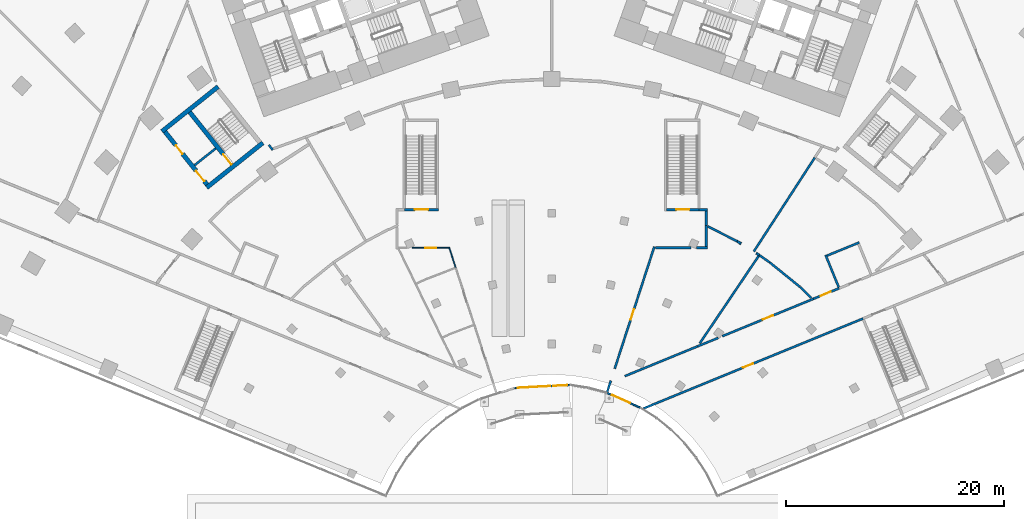
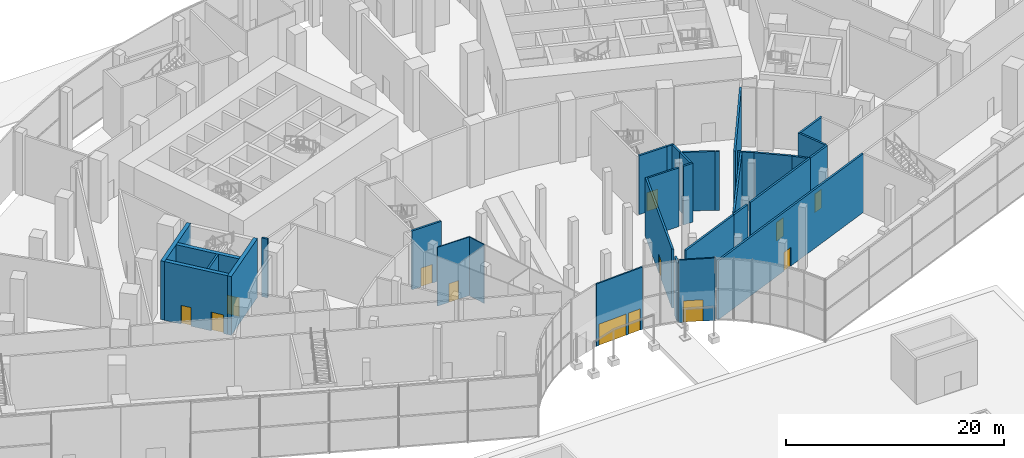
# One storey, part 31 of 60: 34 walls, 13 doors, 13 openings.
"""IFC4 building model written with IfcOpenShell, lengths in metres."""

from ifc_helpers import new_model, si_unit, direction, frame, frame_2d, origin, place, context, subcontext, project, spatial, rectangle, extrude, material, layer, layer_set, type_object, element, fill, save


model = new_model("IFC4")

# Units and contexts
model_context = context("Model", 3, precision=1e-05, world=origin(), true_north=direction((0.0, 1.0)))
body_context = subcontext(model_context, "Body", "Model", "MODEL_VIEW")
ifc_project = project(units=[si_unit("LENGTHUNIT", "METRE"), si_unit("AREAUNIT", "SQUARE_METRE"), si_unit("VOLUMEUNIT", "CUBIC_METRE"), si_unit("PLANEANGLEUNIT", "RADIAN"), si_unit("MASSUNIT", "GRAM", prefix="KILO")], contexts=[model_context])

# Site, building, storey
site_placement = place(None, origin())
site = spatial("IfcSite", under=ifc_project, at=site_placement, CompositionType="ELEMENT")
building_placement = place(site_placement, origin())
building = spatial("IfcBuilding", under=site, at=building_placement, Name="Stone Belt Terrace Tower", CompositionType="ELEMENT")
storey_placement = place(building_placement, origin())
storey = spatial("IfcBuildingStorey", under=building, at=storey_placement, Name="L00", CompositionType="ELEMENT", Elevation=0.0)

# Wall, openings, doors
ifc_material_1 = material(Name="Terracotta coloured glazed ceramic", Category="masonry")
ifc_layer_1 = layer(ifc_material_1, 0.14990234375)
ifc_layer_set_1 = layer_set([ifc_layer_1], Name="Ceramic rain-screen wall 150")
wall_type_1 = type_object("IfcWallType", Name="Ceramic rain-screen wall 150", PredefinedType="SOLIDWALL", material=ifc_layer_set_1)
wall_1_placement = place(storey_placement, frame((-3.377197265625, 16.067138671875, 0.0), z_axis=(0.0, 0.0, 1.0), x_axis=(0.998630179416, 0.052323653922, 0.0)))
wall_1 = element("IfcWall", 1, at=wall_1_placement, inside=storey, type_object=wall_type_1, Name="Door wall L00", PredefinedType="SOLIDWALL", context=body_context, shape_type="SweptSolid", body=[
    extrude(rectangle(XDim=5.067138671875, YDim=0.14990234375, at=frame_2d((2.53369140625, 0.0))), origin(), (0.0, 0.0, 1.0), 7.0),
])
opening_1_placement = place(wall_1_placement, frame((0.255859375, 0.0, 0.0)))
opening_1 = element("IfcOpeningElement", 2, at=opening_1_placement, cuts=wall_1, Name="Opening L00-E02", PredefinedType="OPENING", context=body_context, shape_type="SweptSolid", body=[
    extrude(rectangle(XDim=3.0, YDim=2.39990234375, at=frame_2d((1.5, 1.199951171875))), frame((0.0, 0.0849609375, 0.0), z_axis=(0.0, -1.0, 0.0), x_axis=(1.0, 0.0, 0.0)), (0.0, 0.0, 1.0), 0.169921875),
])
opening_2_placement = place(wall_1_placement, frame((3.511474609375, 0.0, 0.0)))
opening_2 = element("IfcOpeningElement", 3, at=opening_2_placement, cuts=wall_1, Name="Opening L00-E03", PredefinedType="OPENING", context=body_context, shape_type="SweptSolid", body=[
    extrude(rectangle(XDim=1.300048828125, YDim=2.39990234375, at=frame_2d((0.64990234375, 1.199951171875))), frame((0.0, 0.0849609375, 0.0), z_axis=(0.0, -1.0, 0.0), x_axis=(1.0, 0.0, 0.0)), (0.0, 0.0, 1.0), 0.169921875),
])
ifc_material_2 = material(Name="Anodised aluminium glazed door", Category="aluminium")
door_type_1 = type_object("IfcDoorType", Name="Entrance side door 1300 x 2400", OperationType="NOTDEFINED", PredefinedType="DOOR", material=ifc_material_2)
door_1_placement = place(opening_2_placement, origin())
door_1 = element("IfcDoor", 4, at=door_1_placement, inside=storey, type_object=door_type_1, Name="Entrance door L00", OperationType="SINGLE_SWING_RIGHT", OverallHeight=2.39990234375, OverallWidth=1.300048828125, PredefinedType="DOOR", context=body_context, shape_type="SweptSolid", body=[
    extrude(rectangle(XDim=1.300048828125, YDim=2.39990234375, at=frame_2d((0.64990234375, 1.199951171875))), frame((0.0, 0.02490234375, 0.0), z_axis=(0.0, -1.0, 0.0), x_axis=(1.0, 0.0, 0.0)), (0.0, 0.0, 1.0), 0.050048828125),
])
fill(opening_2, door_1)
door_type_2 = type_object("IfcDoorType", Name="Revolving entrance door 3000 x 2400", OperationType="REVOLVING", PredefinedType="DOOR", material=ifc_material_2)
door_2_placement = place(opening_1_placement, origin())
door_2 = element("IfcDoor", 5, at=door_2_placement, inside=storey, type_object=door_type_2, Name="Entrance door L00", OperationType="REVOLVING", OverallHeight=2.39990234375, OverallWidth=3.0, PredefinedType="DOOR", context=body_context, shape_type="SweptSolid", body=[
    extrude(rectangle(XDim=3.0, YDim=2.39990234375, at=frame_2d((1.5, 1.199951171875))), frame((0.0, 0.02490234375, 0.0), z_axis=(0.0, -1.0, 0.0), x_axis=(1.0, 0.0, 0.0)), (0.0, 0.0, 1.0), 0.050048828125),
])
fill(opening_1, door_2)

# Wall, opening, door
wall_2_placement = place(storey_placement, frame((5.1064453125, 15.60693359375, 0.0), z_axis=(0.0, 0.0, 1.0), x_axis=(0.913536167247, -0.406757509005, 0.0)))
wall_2 = element("IfcWall", 6, at=wall_2_placement, inside=storey, type_object=wall_type_1, Name="Door wall L00", PredefinedType="SOLIDWALL", context=body_context, shape_type="SweptSolid", body=[
    extrude(rectangle(XDim=3.365966796875, YDim=0.14990234375, at=frame_2d((1.68310546875, 0.0))), origin(), (0.0, 0.0, 1.0), 7.0),
])
opening_3_placement = place(wall_2_placement, frame((0.478515625, 0.0, 0.0)))
opening_3 = element("IfcOpeningElement", 7, at=opening_3_placement, cuts=wall_2, Name="Opening L00-E04", PredefinedType="OPENING", context=body_context, shape_type="SweptSolid", body=[
    extrude(rectangle(XDim=1.800048828125, YDim=2.39990234375, at=frame_2d((0.89990234375, 1.199951171875))), frame((0.0, 0.0849609375, 0.0), z_axis=(0.0, -1.0, 0.0), x_axis=(1.0, 0.0, 0.0)), (0.0, 0.0, 1.0), 0.169921875),
])
door_type_3 = type_object("IfcDoorType", Name="Shopfront door 1800 x 2400", OperationType="DOUBLE_DOOR_DOUBLE_SWING", PredefinedType="DOOR", material=ifc_material_2)
door_3_placement = place(opening_3_placement, origin())
door_3 = element("IfcDoor", 8, at=door_3_placement, inside=storey, type_object=door_type_3, Name="Terrace door L00", OperationType="DOUBLE_DOOR_DOUBLE_SWING", OverallHeight=2.39990234375, OverallWidth=1.800048828125, PredefinedType="DOOR", context=body_context, shape_type="SweptSolid", body=[
    extrude(rectangle(XDim=1.800048828125, YDim=2.39990234375, at=frame_2d((0.89990234375, 1.199951171875))), frame((0.0, 0.02490234375, 0.0), z_axis=(0.0, -1.0, 0.0), x_axis=(1.0, 0.0, 0.0)), (0.0, 0.0, 1.0), 0.050048828125),
])
fill(opening_3, door_3)

# Wall
ifc_material_3 = material(Name="Blockwork wall, plastered both faces", Category="masonry")
ifc_layer_2 = layer(ifc_material_3, 0.199951171875)
ifc_layer_set_2 = layer_set([ifc_layer_2], Name="Podium demising wall 200")
wall_type_2 = type_object("IfcWallType", Name="Podium demising wall 200", PredefinedType="PARTITIONING", material=ifc_layer_set_2)
wall_3_placement = place(storey_placement, frame((-25.969970703125, 38.3798828125, 0.0), z_axis=(0.0, 0.0, 1.0), x_axis=(0.619630859063, -0.784893367596, 0.0)))
element("IfcWall", 9, at=wall_3_placement, inside=storey, type_object=wall_type_2, Name="Podium demising wall 200", PredefinedType="PARTITIONING", context=body_context, shape_type="SweptSolid", body=[
    extrude(rectangle(XDim=0.58935546875, YDim=0.199951171875, at=frame_2d((0.294677734375, 0.0))), origin(), (0.0, 0.0, 1.0), 6.60009765625),
])

# Wall, opening, door
wall_4_placement = place(storey_placement, frame((5.791748046875, 17.83642578125, 0.0), z_axis=(0.0, 0.0, 1.0), x_axis=(0.30906264163, 0.951041683392, 0.0)))
wall_4 = element("IfcWall", 10, at=wall_4_placement, inside=storey, type_object=wall_type_2, Name="Podium demising wall 200", PredefinedType="PARTITIONING", context=body_context, shape_type="SweptSolid", body=[
    extrude(rectangle(XDim=11.7802734375, YDim=0.199951171875, at=frame_2d((5.89013671875, 0.0))), origin(), (0.0, 0.0, 1.0), 6.60009765625),
])
opening_4_placement = place(wall_4_placement, frame((4.740234375, 0.0, 0.0)))
opening_4 = element("IfcOpeningElement", 11, at=opening_4_placement, cuts=wall_4, Name="Opening L00-P30", PredefinedType="OPENING", context=body_context, shape_type="SweptSolid", body=[
    extrude(rectangle(XDim=1.0, YDim=2.10009765625, at=frame_2d((0.5, 1.050048828125))), frame((0.0, 0.10986328125, 0.0), z_axis=(0.0, -1.0, 0.0), x_axis=(1.0, 0.0, 0.0)), (0.0, 0.0, 1.0), 0.219970703125),
])
ifc_material_4 = material(Name="Steel framed door leaf", Category="steel")
door_type_4 = type_object("IfcDoorType", Name="Podium door single 1000", OperationType="SINGLE_SWING_LEFT", PredefinedType="DOOR", material=ifc_material_4)
door_4_placement = place(opening_4_placement, origin())
door_4 = element("IfcDoor", 12, at=door_4_placement, inside=storey, type_object=door_type_4, Name="Podium door single 1000", OperationType="SINGLE_SWING_RIGHT", OverallHeight=2.10009765625, OverallWidth=1.0, PredefinedType="DOOR", context=body_context, shape_type="SweptSolid", body=[
    extrude(rectangle(XDim=1.0, YDim=2.10009765625, at=frame_2d((0.5, 1.050048828125))), frame((0.0, 0.02490234375, 0.0), z_axis=(0.0, -1.0, 0.0), x_axis=(1.0, 0.0, 0.0)), (0.0, 0.0, 1.0), 0.050048828125),
])
fill(opening_4, door_4)

# Walls
wall_5_placement = place(storey_placement, frame((9.527099609375, 28.93994140625, 0.0), z_axis=(0.0, 0.0, 1.0), x_axis=(1.0, 0.0, 0.0)))
element("IfcWall", 13, at=wall_5_placement, inside=storey, type_object=wall_type_2, Name="Podium demising wall 200", PredefinedType="PARTITIONING", context=body_context, shape_type="SweptSolid", body=[
    extrude(rectangle(XDim=3.2958984375, YDim=0.199951171875, at=frame_2d((1.64794921875, 0.0))), origin(), (0.0, 0.0, 1.0), 6.60009765625),
])
wall_6_placement = place(storey_placement, frame((13.28955078125, 28.93994140625, 0.0), z_axis=(0.0, 0.0, 1.0), x_axis=(1.0, 0.0, 0.0)))
element("IfcWall", 14, at=wall_6_placement, inside=storey, type_object=wall_type_2, Name="Podium demising wall 200", PredefinedType="PARTITIONING", context=body_context, shape_type="SweptSolid", body=[
    extrude(rectangle(XDim=1.010498046875, YDim=0.199951171875, at=frame_2d((0.50537109375, 0.0))), origin(), (0.0, 0.0, 1.0), 6.60009765625),
])
wall_7_placement = place(storey_placement, frame((13.60791015625, 20.168701171875, 0.0), z_axis=(0.0, 0.0, 1.0), x_axis=(0.559038757614, 0.8291415244, 0.0)))
element("IfcWall", 15, at=wall_7_placement, inside=storey, type_object=wall_type_2, Name="Podium demising wall 200", PredefinedType="PARTITIONING", context=body_context, shape_type="SweptSolid", body=[
    extrude(rectangle(XDim=9.670654296875, YDim=0.199951171875, at=frame_2d((4.83544921875, 0.0))), origin(), (0.0, 0.0, 1.0), 6.60009765625),
])
wall_8_placement = place(storey_placement, frame((13.530029296875, 32.43994140625, 0.0), z_axis=(0.0, 0.0, 1.0), x_axis=(1.0, 0.0, 0.0)))
element("IfcWall", 16, at=wall_8_placement, inside=storey, type_object=wall_type_2, Name="Podium demising wall 200", PredefinedType="PARTITIONING", context=body_context, shape_type="SweptSolid", body=[
    extrude(rectangle(XDim=0.77001953125, YDim=0.199951171875, at=frame_2d((0.385009765625, 0.0))), origin(), (0.0, 0.0, 1.0), 6.60009765625),
])
wall_9_placement = place(storey_placement, frame((14.199951171875, 29.0400390625, 0.0), z_axis=(0.0, 0.0, 1.0), x_axis=(0.0, 1.0, 0.0)))
element("IfcWall", 17, at=wall_9_placement, inside=storey, type_object=wall_type_2, Name="Podium demising wall 200", PredefinedType="PARTITIONING", context=body_context, shape_type="SweptSolid", body=[
    extrude(rectangle(XDim=1.949951171875, YDim=0.199951171875, at=frame_2d((0.97509765625, 0.0))), origin(), (0.0, 0.0, 1.0), 6.60009765625),
])
wall_10_placement = place(storey_placement, frame((14.199951171875, 30.99169921875, 0.0), z_axis=(0.0, 0.0, 1.0), x_axis=(0.0, 1.0, 0.0)))
element("IfcWall", 18, at=wall_10_placement, inside=storey, type_object=wall_type_2, Name="Podium demising wall 200", PredefinedType="PARTITIONING", context=body_context, shape_type="SweptSolid", body=[
    extrude(rectangle(XDim=1.348388671875, YDim=0.199951171875, at=frame_2d((0.67431640625, 0.0))), origin(), (0.0, 0.0, 1.0), 6.60009765625),
])
wall_11_placement = place(storey_placement, frame((14.344482421875, 30.906494140625, 0.0), z_axis=(0.0, 0.0, 1.0), x_axis=(0.891296874339, -0.453420204439, 0.0)))
element("IfcWall", 19, at=wall_11_placement, inside=storey, type_object=wall_type_2, Name="Podium demising wall 200", PredefinedType="PARTITIONING", context=body_context, shape_type="SweptSolid", body=[
    extrude(rectangle(XDim=3.031494140625, YDim=0.199951171875, at=frame_2d((1.515625, 0.0))), origin(), (0.0, 0.0, 1.0), 6.60009765625),
])
wall_12_placement = place(storey_placement, frame((17.053466796875, 29.52783203125, 0.0), z_axis=(0.0, 0.0, 1.0), x_axis=(0.850830472157, -0.525440298843, 0.0)))
element("IfcWall", 20, at=wall_12_placement, inside=storey, type_object=wall_type_2, Name="Podium demising wall 200", PredefinedType="PARTITIONING", context=body_context, shape_type="SweptSolid", body=[
    extrude(rectangle(XDim=0.3955078125, YDim=0.199951171875, at=frame_2d((0.19775390625, 0.0))), origin(), (0.0, 0.0, 1.0), 6.60009765625),
])
wall_13_placement = place(storey_placement, frame((18.570068359375, 28.60009765625, 0.0), z_axis=(0.0, 0.0, 1.0), x_axis=(0.544778789673, 0.838579793652, 0.0)))
element("IfcWall", 21, at=wall_13_placement, inside=storey, type_object=wall_type_2, Name="Podium demising wall 200", PredefinedType="PARTITIONING", context=body_context, shape_type="SweptSolid", body=[
    extrude(rectangle(XDim=10.279052734375, YDim=0.199951171875, at=frame_2d((5.1396484375, 0.0))), origin(), (0.0, 0.0, 1.0), 6.60009765625),
])
wall_14_placement = place(storey_placement, frame((18.800048828125, 28.43994140625, 0.0), z_axis=(0.0, 0.0, 1.0), x_axis=(0.846129780555, -0.532976917378, 0.0)))
element("IfcWall", 22, at=wall_14_placement, inside=storey, type_object=wall_type_2, Name="Podium demising wall 200", PredefinedType="PARTITIONING", context=body_context, shape_type="SweptSolid", body=[
    extrude(rectangle(XDim=0.31640625, YDim=0.199951171875, at=frame_2d((0.158203125, 0.0))), origin(), (0.0, 0.0, 1.0), 6.60009765625),
])
wall_15_placement = place(storey_placement, frame((19.072021484375, 28.2685546875, 0.0), z_axis=(0.0, 0.0, 1.0), x_axis=(0.818852203252, -0.574004415687, 0.0)))
element("IfcWall", 23, at=wall_15_placement, inside=storey, type_object=wall_type_2, Name="Podium demising wall 200", PredefinedType="PARTITIONING", context=body_context, shape_type="SweptSolid", body=[
    extrude(rectangle(XDim=1.178466796875, YDim=0.199951171875, at=frame_2d((0.58935546875, 0.0))), origin(), (0.0, 0.0, 1.0), 6.60009765625),
])
wall_16_placement = place(storey_placement, frame((20.042724609375, 27.587890625, 0.0), z_axis=(0.0, 0.0, 1.0), x_axis=(0.777291081982, -0.629141139866, 0.0)))
element("IfcWall", 24, at=wall_16_placement, inside=storey, type_object=wall_type_2, Name="Podium demising wall 200", PredefinedType="PARTITIONING", context=body_context, shape_type="SweptSolid", body=[
    extrude(rectangle(XDim=3.56787109375, YDim=0.199951171875, at=frame_2d((1.783935546875, 0.0))), origin(), (0.0, 0.0, 1.0), 6.60009765625),
])
wall_17_placement = place(storey_placement, frame((22.82373046875, 25.336181640625, 0.0), z_axis=(0.0, 0.0, 1.0), x_axis=(0.707106781187, -0.707106781187, 0.0)))
element("IfcWall", 25, at=wall_17_placement, inside=storey, type_object=wall_type_2, Name="Podium demising wall 200", PredefinedType="PARTITIONING", context=body_context, shape_type="SweptSolid", body=[
    extrude(rectangle(XDim=1.442138671875, YDim=0.199951171875, at=frame_2d((0.72119140625, 0.0))), origin(), (0.0, 0.0, 1.0), 6.60009765625),
])
ifc_material_5 = material(Name="Fire-rated blockwork wall, plastered both faces", Category="masonry")
ifc_layer_3 = layer(ifc_material_5, 0.199951171875)
ifc_layer_set_3 = layer_set([ifc_layer_3], Name="Podium exit passage wall 200")
wall_type_3 = type_object("IfcWallType", Name="Podium exit passage wall 200", PredefinedType="PARTITIONING", material=ifc_layer_set_3)
wall_18_placement = place(storey_placement, frame((5.10009765625, 15.68994140625, 0.0), z_axis=(0.0, 0.0, 1.0), x_axis=(0.309955109506, 0.950751192527, 0.0)))
element("IfcWall", 26, at=wall_18_placement, inside=storey, type_object=wall_type_3, Name="Podium exit passage wall 200", PredefinedType="PARTITIONING", context=body_context, shape_type="SweptSolid", body=[
    extrude(rectangle(XDim=1.098876953125, YDim=0.199951171875, at=frame_2d((0.54931640625, 0.0))), origin(), (0.0, 0.0, 1.0), 6.60009765625),
])
wall_19_placement = place(storey_placement, frame((6.724365234375, 17.152587890625, 0.0), z_axis=(0.0, 0.0, 1.0), x_axis=(0.925342263878, 0.379132819314, 0.0)))
element("IfcWall", 27, at=wall_19_placement, inside=storey, type_object=wall_type_3, Name="Podium exit passage wall 200", PredefinedType="PARTITIONING", context=body_context, shape_type="SweptSolid", body=[
    extrude(rectangle(XDim=7.224365234375, YDim=0.199951171875, at=frame_2d((3.6123046875, 0.0))), origin(), (0.0, 0.0, 1.0), 6.60009765625),
])

# Wall, opening, door
wall_20_placement = place(storey_placement, frame((8.429931640625, 14.179931640625, 0.0), z_axis=(0.0, 0.0, 1.0), x_axis=(0.925407362716, 0.378973894921, 0.0)))
wall_20 = element("IfcWall", 28, at=wall_20_placement, inside=storey, type_object=wall_type_3, Name="Podium exit passage wall 200", PredefinedType="PARTITIONING", context=body_context, shape_type="SweptSolid", body=[
    extrude(rectangle(XDim=21.795654296875, YDim=0.199951171875, at=frame_2d((10.89794921875, 0.0))), origin(), (0.0, 0.0, 1.0), 6.60009765625),
])
opening_5_placement = place(wall_20_placement, frame((9.885498046875, 0.0, 0.0)))
opening_5 = element("IfcOpeningElement", 29, at=opening_5_placement, cuts=wall_20, Name="Opening L00-P16", PredefinedType="OPENING", context=body_context, shape_type="SweptSolid", body=[
    extrude(rectangle(XDim=1.0, YDim=2.10009765625, at=frame_2d((0.5, 1.050048828125))), frame((0.0, 0.10986328125, 0.0), z_axis=(0.0, -1.0, 0.0), x_axis=(1.0, 0.0, 0.0)), (0.0, 0.0, 1.0), 0.219970703125),
])
door_5_placement = place(opening_5_placement, origin())
door_5 = element("IfcDoor", 30, at=door_5_placement, inside=storey, type_object=door_type_4, Name="Podium door single 1000", OperationType="SINGLE_SWING_RIGHT", OverallHeight=2.10009765625, OverallWidth=1.0, PredefinedType="DOOR", context=body_context, shape_type="SweptSolid", body=[
    extrude(rectangle(XDim=1.0, YDim=2.10009765625, at=frame_2d((0.5, 1.050048828125))), frame((0.0, 0.02490234375, 0.0), z_axis=(0.0, -1.0, 0.0), x_axis=(1.0, 0.0, 0.0)), (0.0, 0.0, 1.0), 0.050048828125),
])
fill(opening_5, door_5)

# Wall
wall_21_placement = place(storey_placement, frame((13.409912109375, 19.889892578125, 0.0), z_axis=(0.0, 0.0, 1.0), x_axis=(0.925286625242, 0.379268587082, 0.0)))
element("IfcWall", 31, at=wall_21_placement, inside=storey, type_object=wall_type_3, Name="Podium exit passage wall 200", PredefinedType="PARTITIONING", context=body_context, shape_type="SweptSolid", body=[
    extrude(rectangle(XDim=2.04833984375, YDim=0.199951171875, at=frame_2d((1.024169921875, 0.0))), origin(), (0.0, 0.0, 1.0), 6.60009765625),
])

# Wall, opening, door
wall_22_placement = place(storey_placement, frame((15.681640625, 20.821044921875, 0.0), z_axis=(0.0, 0.0, 1.0), x_axis=(0.925289609993, 0.379261305222, 0.0)))
wall_22 = element("IfcWall", 32, at=wall_22_placement, inside=storey, type_object=wall_type_3, Name="Podium exit passage wall 200", PredefinedType="PARTITIONING", context=body_context, shape_type="SweptSolid", body=[
    extrude(rectangle(XDim=9.04443359375, YDim=0.199951171875, at=frame_2d((4.522216796875, 0.0))), origin(), (0.0, 0.0, 1.0), 6.60009765625),
])
opening_6_placement = place(wall_22_placement, frame((4.022216796875, 0.0, 0.0)))
opening_6 = element("IfcOpeningElement", 33, at=opening_6_placement, cuts=wall_22, Name="Opening L00-P31", PredefinedType="OPENING", context=body_context, shape_type="SweptSolid", body=[
    extrude(rectangle(XDim=1.0, YDim=2.10009765625, at=frame_2d((0.5, 1.050048828125))), frame((0.0, 0.10986328125, 0.0), z_axis=(0.0, -1.0, 0.0), x_axis=(1.0, 0.0, 0.0)), (0.0, 0.0, 1.0), 0.219970703125),
])
door_6_placement = place(opening_6_placement, origin())
door_6 = element("IfcDoor", 34, at=door_6_placement, inside=storey, type_object=door_type_4, Name="Podium door single 1000", OperationType="SINGLE_SWING_LEFT", OverallHeight=2.10009765625, OverallWidth=1.0, PredefinedType="DOOR", context=body_context, shape_type="SweptSolid", body=[
    extrude(rectangle(XDim=1.0, YDim=2.10009765625, at=frame_2d((0.5, 1.050048828125))), frame((0.0, 0.02490234375, 0.0), z_axis=(0.0, -1.0, 0.0), x_axis=(1.0, 0.0, 0.0)), (0.0, 0.0, 1.0), 0.050048828125),
])
fill(opening_6, door_6)

wall_23_placement = place(storey_placement, frame((24.04931640625, 24.254638671875, 0.0), z_axis=(0.0, 0.0, 1.0), x_axis=(0.925597268944, 0.378509835702, 0.0)))
wall_23 = element("IfcWall", 35, at=wall_23_placement, inside=storey, type_object=wall_type_3, Name="Podium exit passage wall 200", PredefinedType="PARTITIONING", context=body_context, shape_type="SweptSolid", body=[
    extrude(rectangle(XDim=2.55029296875, YDim=0.199951171875, at=frame_2d((1.275146484375, 0.0))), origin(), (0.0, 0.0, 1.0), 6.60009765625),
])
opening_7_placement = place(wall_23_placement, frame((0.71630859375, 0.0, 0.0)))
opening_7 = element("IfcOpeningElement", 36, at=opening_7_placement, cuts=wall_23, Name="Opening L00-P36", PredefinedType="OPENING", context=body_context, shape_type="SweptSolid", body=[
    extrude(rectangle(XDim=1.0, YDim=2.10009765625, at=frame_2d((0.5, 1.050048828125))), frame((0.0, 0.10986328125, 0.0), z_axis=(0.0, -1.0, 0.0), x_axis=(1.0, 0.0, 0.0)), (0.0, 0.0, 1.0), 0.219970703125),
])
door_7_placement = place(opening_7_placement, origin())
door_7 = element("IfcDoor", 37, at=door_7_placement, inside=storey, type_object=door_type_4, Name="Podium door single 1000", OperationType="SINGLE_SWING_RIGHT", OverallHeight=2.10009765625, OverallWidth=1.0, PredefinedType="DOOR", context=body_context, shape_type="SweptSolid", body=[
    extrude(rectangle(XDim=1.0, YDim=2.10009765625, at=frame_2d((0.5, 1.050048828125))), frame((0.0, 0.02490234375, 0.0), z_axis=(0.0, -1.0, 0.0), x_axis=(1.0, 0.0, 0.0)), (0.0, 0.0, 1.0), 0.050048828125),
])
fill(opening_7, door_7)

# Walls
ifc_material_6 = material(Name="Reinforced blockwork wall, plastered both faces", Category="masonry")
ifc_layer_4 = layer(ifc_material_6, 0.199951171875)
ifc_layer_set_4 = layer_set([ifc_layer_4], Name="Podium lift shaft wall 200")
wall_type_4 = type_object("IfcWallType", Name="Podium lift shaft wall 200", PredefinedType="SOLIDWALL", material=ifc_layer_set_4)
for number, where, z_axis, x_axis, name in (
    (38, (25.162109375, 28.272705078125, 0.0), (0.0, 0.0, 1.0), (0.378421783721, -0.925633271661, 0.0), "Podium lift shaft wall 200"),
    (39, (25.29248046875, 28.2177734375, 0.0), (0.0, 0.0, 1.0), (0.925660010793, 0.378356372246, 0.0), "Podium lift shaft wall 200"),
):
    element("IfcWall", number, at=place(storey_placement, frame(where, z_axis=z_axis, x_axis=x_axis)), inside=storey, type_object=wall_type_4, Name=name, PredefinedType="SOLIDWALL", context=body_context, shape_type="SweptSolid", body=[
        extrude(rectangle(XDim=3.197998046875, YDim=0.199951171875, at=frame_2d((1.59912109375, 0.0))), origin(), (0.0, 0.0, 1.0), 6.60009765625),
    ])

# Wall, opening, door
ifc_material_7 = material(Name="Concrete B30", Category="concrete")
ifc_layer_5 = layer(ifc_material_7, 0.199951171875)
ifc_layer_set_5 = layer_set([ifc_layer_5], Name="Podium stair and shaft wall 200")
wall_type_5 = type_object("IfcWallType", Name="Podium stair and shaft wall 200", PredefinedType="SOLIDWALL", material=ifc_layer_set_5)
wall_24_placement = place(storey_placement, frame((-13.530029296875, 32.43994140625, 0.0), z_axis=(0.0, 0.0, 1.0), x_axis=(1.0, 0.0, 0.0)))
wall_24 = element("IfcWall", 40, at=wall_24_placement, inside=storey, type_object=wall_type_5, Name="Podium stair and shaft wall 200", PredefinedType="SOLIDWALL", context=body_context, shape_type="SweptSolid", body=[
    extrude(rectangle(XDim=3.159912109375, YDim=0.199951171875, at=frame_2d((1.580078125, 0.0))), origin(), (0.0, 0.0, 1.0), 6.60009765625),
])
opening_8_placement = place(wall_24_placement, frame((0.97998046875, 0.0, 0.0)))
opening_8 = element("IfcOpeningElement", 41, at=opening_8_placement, cuts=wall_24, Name="Opening L00-P05", PredefinedType="OPENING", context=body_context, shape_type="SweptSolid", body=[
    extrude(rectangle(XDim=1.199951171875, YDim=2.10009765625, at=frame_2d((0.60009765625, 1.050048828125))), frame((0.0, 0.10986328125, 0.0), z_axis=(0.0, -1.0, 0.0), x_axis=(1.0, 0.0, 0.0)), (0.0, 0.0, 1.0), 0.219970703125),
])
door_type_5 = type_object("IfcDoorType", Name="Podium door fire stair 1200", OperationType="SINGLE_SWING_LEFT", PredefinedType="DOOR", material=ifc_material_4)
door_8_placement = place(opening_8_placement, origin())
door_8 = element("IfcDoor", 42, at=door_8_placement, inside=storey, type_object=door_type_5, Name="Podium door fire stair 1200", OperationType="SINGLE_SWING_LEFT", OverallHeight=2.10009765625, OverallWidth=1.199951171875, PredefinedType="DOOR", context=body_context, shape_type="SweptSolid", body=[
    extrude(rectangle(XDim=1.199951171875, YDim=2.10009765625, at=frame_2d((0.60009765625, 1.050048828125))), frame((0.0, 0.02490234375, 0.0), z_axis=(0.0, -1.0, 0.0), x_axis=(1.0, 0.0, 0.0)), (0.0, 0.0, 1.0), 0.050048828125),
])
fill(opening_8, door_8)

wall_25_placement = place(storey_placement, frame((10.570068359375, 32.43994140625, 0.0), z_axis=(0.0, 0.0, 1.0), x_axis=(1.0, 0.0, 0.0)))
wall_25 = element("IfcWall", 43, at=wall_25_placement, inside=storey, type_object=wall_type_5, Name="Podium stair and shaft wall 200", PredefinedType="SOLIDWALL", context=body_context, shape_type="SweptSolid", body=[
    extrude(rectangle(XDim=2.9599609375, YDim=0.199951171875, at=frame_2d((1.47998046875, 0.0))), origin(), (0.0, 0.0, 1.0), 6.60009765625),
])
opening_9_placement = place(wall_25_placement, frame((0.8798828125, 0.0, 0.0)))
opening_9 = element("IfcOpeningElement", 44, at=opening_9_placement, cuts=wall_25, Name="Opening L00-P06", PredefinedType="OPENING", context=body_context, shape_type="SweptSolid", body=[
    extrude(rectangle(XDim=1.199951171875, YDim=2.10009765625, at=frame_2d((0.60009765625, 1.050048828125))), frame((0.0, 0.10986328125, 0.0), z_axis=(0.0, -1.0, 0.0), x_axis=(1.0, 0.0, 0.0)), (0.0, 0.0, 1.0), 0.219970703125),
])
door_9_placement = place(opening_9_placement, origin())
door_9 = element("IfcDoor", 45, at=door_9_placement, inside=storey, type_object=door_type_5, Name="Podium door fire stair 1200", OperationType="SINGLE_SWING_RIGHT", OverallHeight=2.10009765625, OverallWidth=1.199951171875, PredefinedType="DOOR", context=body_context, shape_type="SweptSolid", body=[
    extrude(rectangle(XDim=1.199951171875, YDim=2.10009765625, at=frame_2d((0.60009765625, 1.050048828125))), frame((0.0, 0.02490234375, 0.0), z_axis=(0.0, -1.0, 0.0), x_axis=(1.0, 0.0, 0.0)), (0.0, 0.0, 1.0), 0.050048828125),
])
fill(opening_9, door_9)

ifc_material_8 = material(Name="Moisture-resistant board on steel stud partition", Category="steel")
ifc_layer_6 = layer(ifc_material_8, 0.10009765625)
ifc_layer_set_6 = layer_set([ifc_layer_6], Name="Podium toilet partition 100")
wall_type_6 = type_object("IfcWallType", Name="Podium toilet partition 100", PredefinedType="PARTITIONING", material=ifc_layer_set_6)
wall_26_placement = place(storey_placement, frame((-12.822998046875, 28.93994140625, 0.0), z_axis=(0.0, 0.0, 1.0), x_axis=(1.0, 0.0, 0.0)))
wall_26 = element("IfcWall", 46, at=wall_26_placement, inside=storey, type_object=wall_type_6, Name="Podium toilet partition 100", PredefinedType="PARTITIONING", context=body_context, shape_type="SweptSolid", body=[
    extrude(rectangle(XDim=3.4755859375, YDim=0.10009765625, at=frame_2d((1.73779296875, 0.0))), origin(), (0.0, 0.0, 1.0), 6.60009765625),
])
opening_10_placement = place(wall_26_placement, frame((1.23779296875, 0.0, 0.0)))
opening_10 = element("IfcOpeningElement", 47, at=opening_10_placement, cuts=wall_26, Name="Opening L00-P23", PredefinedType="OPENING", context=body_context, shape_type="SweptSolid", body=[
    extrude(rectangle(XDim=1.0, YDim=2.10009765625, at=frame_2d((0.5, 1.050048828125))), frame((0.0, 0.06005859375, 0.0), z_axis=(0.0, -1.0, 0.0), x_axis=(1.0, 0.0, 0.0)), (0.0, 0.0, 1.0), 0.1201171875),
])
door_10_placement = place(opening_10_placement, origin())
door_10 = element("IfcDoor", 48, at=door_10_placement, inside=storey, type_object=door_type_4, Name="Podium door single 1000", OperationType="SINGLE_SWING_LEFT", OverallHeight=2.10009765625, OverallWidth=1.0, PredefinedType="DOOR", context=body_context, shape_type="SweptSolid", body=[
    extrude(rectangle(XDim=1.0, YDim=2.10009765625, at=frame_2d((0.5, 1.050048828125))), frame((0.0, 0.02490234375, 0.0), z_axis=(0.0, -1.0, 0.0), x_axis=(1.0, 0.0, 0.0)), (0.0, 0.0, 1.0), 0.050048828125),
])
fill(opening_10, door_10)

# Walls
wall_27_placement = place(storey_placement, frame((-9.384033203125, 28.889892578125, 0.0), z_axis=(0.0, 0.0, 1.0), x_axis=(0.305409173009, -0.952221212241, 0.0)))
element("IfcWall", 49, at=wall_27_placement, inside=storey, type_object=wall_type_6, Name="Podium toilet partition 100", PredefinedType="PARTITIONING", context=body_context, shape_type="SweptSolid", body=[
    extrude(rectangle(XDim=1.81787109375, YDim=0.10009765625, at=frame_2d((0.908935546875, 0.0))), origin(), (0.0, 0.0, 1.0), 6.60009765625),
])
ifc_material_9 = material(Name="Concrete masonry block", Category="masonry")
ifc_layer_7 = layer(ifc_material_9, 0.199951171875)
ifc_layer_set_7 = layer_set([ifc_layer_7], Name="Rated lobby wall 200")
wall_type_7 = type_object("IfcWallType", Name="Rated lobby wall 200", PredefinedType="PARTITIONING", material=ifc_layer_set_7)
wall_28_placement = place(storey_placement, frame((-30.845703125, 38.074951171875, 0.0), z_axis=(0.0, 0.0, 1.0), x_axis=(-0.782115323833, -0.623133709749, 0.0)))
element("IfcWall", 50, at=wall_28_placement, inside=storey, type_object=wall_type_7, Name="Exit stair ST3A wall", PredefinedType="PARTITIONING", context=body_context, shape_type="SweptSolid", body=[
    extrude(rectangle(XDim=2.5, YDim=0.199951171875, at=frame_2d((1.25, 0.0))), origin(), (0.0, 0.0, 1.0), 6.60009765625),
])
ifc_material_10 = material(Name="Concrete B80", Category="concrete")
ifc_layer_8 = layer(ifc_material_10, 0.39990234375)
ifc_layer_set_8 = layer_set([ifc_layer_8], Name="Stair enclosure wall 400")
wall_type_8 = type_object("IfcWallType", Name="Stair enclosure wall 400", PredefinedType="SHEAR", material=ifc_layer_set_8)
for number, where, z_axis, x_axis, name in (
    (51, (-26.518798828125, 38.58154296875, 0.0), (0.0, 0.0, 1.0), (-0.782133914161, -0.623110375711, 0.0), "Exit stair ST3A wall"),
    (52, (-30.63134765625, 43.74365234375, 0.0), (0.0, 0.0, 1.0), (-0.782133914161, -0.623110375711, 0.0), "Exit stair ST3A wall"),
):
    element("IfcWall", number, at=place(storey_placement, frame(where, z_axis=z_axis, x_axis=x_axis)), inside=storey, type_object=wall_type_8, Name=name, PredefinedType="SHEAR", context=body_context, shape_type="SweptSolid", body=[
        extrude(rectangle(XDim=6.60009765625, YDim=0.39990234375, at=frame_2d((3.300048828125, 0.0))), origin(), (0.0, 0.0, 1.0), 6.60009765625),
    ])

# Wall, openings, doors
wall_29_placement = place(storey_placement, frame((-31.64892578125, 34.75, 0.0), z_axis=(0.0, 0.0, 1.0), x_axis=(-0.623118653668, 0.782127319208, 0.0)))
wall_29 = element("IfcWall", 53, at=wall_29_placement, inside=storey, type_object=wall_type_8, Name="Exit stair ST3A wall", PredefinedType="SHEAR", context=body_context, shape_type="SweptSolid", body=[
    extrude(rectangle(XDim=6.199951171875, YDim=0.39990234375, at=frame_2d((3.10009765625, 0.0))), origin(), (0.0, 0.0, 1.0), 6.60009765625),
])
opening_11_placement = place(wall_29_placement, frame((0.39990234375, 0.0, 0.0)))
opening_11 = element("IfcOpeningElement", 54, at=opening_11_placement, cuts=wall_29, Name="Opening L00-C26", PredefinedType="OPENING", context=body_context, shape_type="SweptSolid", body=[
    extrude(rectangle(XDim=1.199951171875, YDim=2.10009765625, at=frame_2d((0.60009765625, 1.050048828125))), frame((0.0, 0.2099609375, 0.0), z_axis=(0.0, -1.0, 0.0), x_axis=(1.0, 0.0, 0.0)), (0.0, 0.0, 1.0), 0.419921875),
])
opening_12_placement = place(wall_29_placement, frame((3.60009765625, 0.0, 0.0)))
opening_12 = element("IfcOpeningElement", 55, at=opening_12_placement, cuts=wall_29, Name="Opening L00-C27", PredefinedType="OPENING", context=body_context, shape_type="SweptSolid", body=[
    extrude(rectangle(XDim=1.0, YDim=2.10009765625, at=frame_2d((0.5, 1.050048828125))), frame((0.0, 0.2099609375, 0.0), z_axis=(0.0, -1.0, 0.0), x_axis=(1.0, 0.0, 0.0)), (0.0, 0.0, 1.0), 0.419921875),
])
ifc_material_11 = material(Name="Timber door leaf", Category="wood")
door_type_6 = type_object("IfcDoorType", Name="Core room door 1000", OperationType="SINGLE_SWING_LEFT", PredefinedType="DOOR", material=ifc_material_11)
door_11_placement = place(opening_12_placement, origin())
door_11 = element("IfcDoor", 56, at=door_11_placement, inside=storey, type_object=door_type_6, Name="Door to stair pressurisation plant room ST3A", OperationType="SINGLE_SWING_RIGHT", OverallHeight=2.10009765625, OverallWidth=1.0, PredefinedType="DOOR", context=body_context, shape_type="SweptSolid", body=[
    extrude(rectangle(XDim=1.0, YDim=2.10009765625, at=frame_2d((0.5, 1.050048828125))), frame((0.0, 0.02490234375, 0.0), z_axis=(0.0, -1.0, 0.0), x_axis=(1.0, 0.0, 0.0)), (0.0, 0.0, 1.0), 0.050048828125),
])
fill(opening_12, door_11)
ifc_material_12 = material(Name="Steel door leaf", Category="steel")
door_type_7 = type_object("IfcDoorType", Name="Stair airlock door 1200", OperationType="SINGLE_SWING_LEFT", PredefinedType="DOOR", material=ifc_material_12)
door_12_placement = place(opening_11_placement, origin())
door_12 = element("IfcDoor", 57, at=door_12_placement, inside=storey, type_object=door_type_7, Name="Stair airlock door ST3A", OperationType="SINGLE_SWING_RIGHT", OverallHeight=2.10009765625, OverallWidth=1.199951171875, PredefinedType="DOOR", context=body_context, shape_type="SweptSolid", body=[
    extrude(rectangle(XDim=1.199951171875, YDim=2.10009765625, at=frame_2d((0.60009765625, 1.050048828125))), frame((0.0, 0.02490234375, 0.0), z_axis=(0.0, -1.0, 0.0), x_axis=(1.0, 0.0, 0.0)), (0.0, 0.0, 1.0), 0.050048828125),
])
fill(opening_11, door_12)

# Wall, opening, door
wall_30_placement = place(storey_placement, frame((-29.380859375, 36.556884765625, 0.0), z_axis=(0.0, 0.0, 1.0), x_axis=(-0.623099462847, 0.782142608097, 0.0)))
wall_30 = element("IfcWall", 58, at=wall_30_placement, inside=storey, type_object=wall_type_8, Name="Exit stair ST3A wall", PredefinedType="SHEAR", context=body_context, shape_type="SweptSolid", body=[
    extrude(rectangle(XDim=6.2001953125, YDim=0.39990234375, at=frame_2d((3.10009765625, 0.0))), origin(), (0.0, 0.0, 1.0), 6.60009765625),
])
opening_13_placement = place(wall_30_placement, frame((0.050048828125, 0.0, 0.0)))
opening_13 = element("IfcOpeningElement", 59, at=opening_13_placement, cuts=wall_30, Name="Opening L00-C25", PredefinedType="OPENING", context=body_context, shape_type="SweptSolid", body=[
    extrude(rectangle(XDim=1.199951171875, YDim=2.10009765625, at=frame_2d((0.60009765625, 1.050048828125))), frame((0.0, 0.2099609375, 0.0), z_axis=(0.0, -1.0, 0.0), x_axis=(1.0, 0.0, 0.0)), (0.0, 0.0, 1.0), 0.419921875),
])
door_type_8 = type_object("IfcDoorType", Name="Stair door 1200", OperationType="SINGLE_SWING_LEFT", PredefinedType="DOOR", material=ifc_material_12)
door_13_placement = place(opening_13_placement, origin())
door_13 = element("IfcDoor", 60, at=door_13_placement, inside=storey, type_object=door_type_8, Name="Stair door ST3A", OperationType="SINGLE_SWING_LEFT", OverallHeight=2.10009765625, OverallWidth=1.199951171875, PredefinedType="DOOR", context=body_context, shape_type="SweptSolid", body=[
    extrude(rectangle(XDim=1.199951171875, YDim=2.10009765625, at=frame_2d((0.60009765625, 1.050048828125))), frame((0.0, 0.02490234375, 0.0), z_axis=(0.0, -1.0, 0.0), x_axis=(1.0, 0.0, 0.0)), (0.0, 0.0, 1.0), 0.050048828125),
])
fill(opening_13, door_13)

save(model, "model.ifc")
